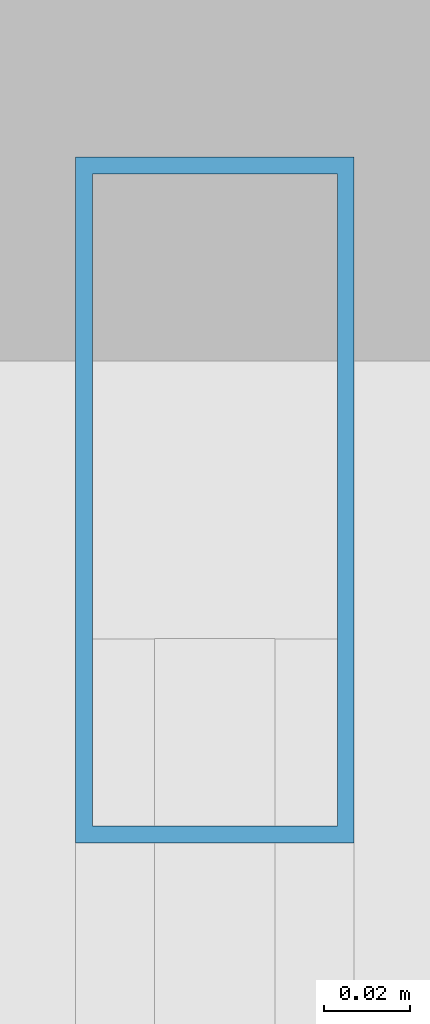
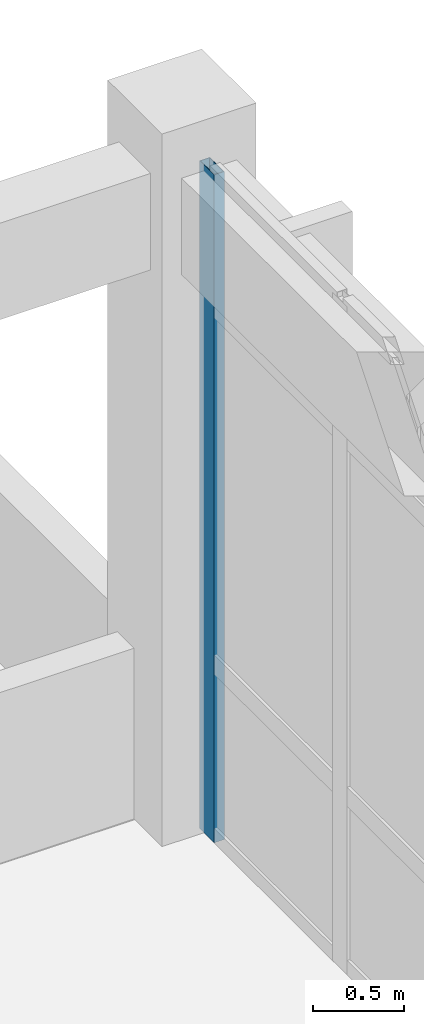
# One storey, part 184 of 236: 1 member, 1 element without a shape of its own.
"""IFC4 building model written with IfcOpenShell, lengths in metres."""

from ifc_helpers import new_model, si_unit, direction, frame, origin, origin_2d, place, context, subcontext, project, spatial, hollow_rectangle, extrude, material, layer, layer_set, material_profile, profile_set, type_object, element, aggregate, save


model = new_model("IFC4")

# Units and contexts
model_context = context("Model", 3, precision=1e-05, world=origin(), true_north=direction((0.0, 1.0)))
body_context = subcontext(model_context, "Body", "Model", "MODEL_VIEW")
ifc_project = project(units=[si_unit("LENGTHUNIT", "METRE"), si_unit("AREAUNIT", "SQUARE_METRE"), si_unit("VOLUMEUNIT", "CUBIC_METRE"), si_unit("PLANEANGLEUNIT", "RADIAN"), si_unit("MASSUNIT", "GRAM", prefix="KILO")], contexts=[model_context])

# Site, building, storey
site_placement = place(None, origin())
site = spatial("IfcSite", under=ifc_project, at=site_placement, CompositionType="ELEMENT")
building_placement = place(site_placement, origin())
building = spatial("IfcBuilding", under=site, at=building_placement, Name="Pandanus Reach Market Hall", CompositionType="ELEMENT")
storey_placement = place(building_placement, frame((0.0, 0.0, 5.39990234375)))
storey = spatial("IfcBuildingStorey", under=building, at=storey_placement, Name="L01", CompositionType="ELEMENT", Elevation=5.39990234375)

# Curtain wall, member
ifc_material_1 = material(Name="Bronze anodised aluminium and low-E glass", Category="aluminium")
ifc_layer = layer(ifc_material_1, 0.159912109375, Name="CW-28")
ifc_layer_set = layer_set([ifc_layer], Name="Bronze anodised aluminium and low-E glass")
curtain_wall_type = type_object("IfcCurtainWallType", Name="CW-28", PredefinedType="NOTDEFINED", material=ifc_layer_set)
curtain_wall_placement = place(storey_placement, origin())
curtain_wall = element("IfcCurtainWall", 1, at=curtain_wall_placement, inside=storey, type_object=curtain_wall_type, Name="Glazed curtain wall CW-28 CW-0090", PredefinedType="NOTDEFINED")
ifc_material_2 = material(Name="Bronze anodised aluminium", Category="aluminium")
ifc_material_profile = material_profile(ifc_material_2, hollow_rectangle(XDim=0.06494140625, YDim=0.159912109375, WallThickness=0.00390625, at=origin_2d()), Name="ALU65x160", Category="LoadBearing")
ifc_profile_set = profile_set([ifc_material_profile], Name="Bronze anodised aluminium")
member_type = type_object("IfcMemberType", Name="CW-M1", PredefinedType="MULLION", material=ifc_profile_set)
member_placement = place(storey_placement, frame((180.0, 95.66748046875, 0.0), z_axis=(0.0, 0.0, 1.0), x_axis=(-1.0, 0.0, 0.0)))
member = element("IfcMember", 2, at=member_placement, type_object=member_type, Name="CW-28 mullion 7", PredefinedType="MULLION", context=body_context, shape_type="SweptSolid", body=[
    extrude(hollow_rectangle(XDim=0.06494140625, YDim=0.159912109375, WallThickness=0.00390625, at=origin_2d()), origin(), (0.0, 0.0, 1.0), 4.5),
])
aggregate(curtain_wall, [member])

save(model, "model.ifc")
